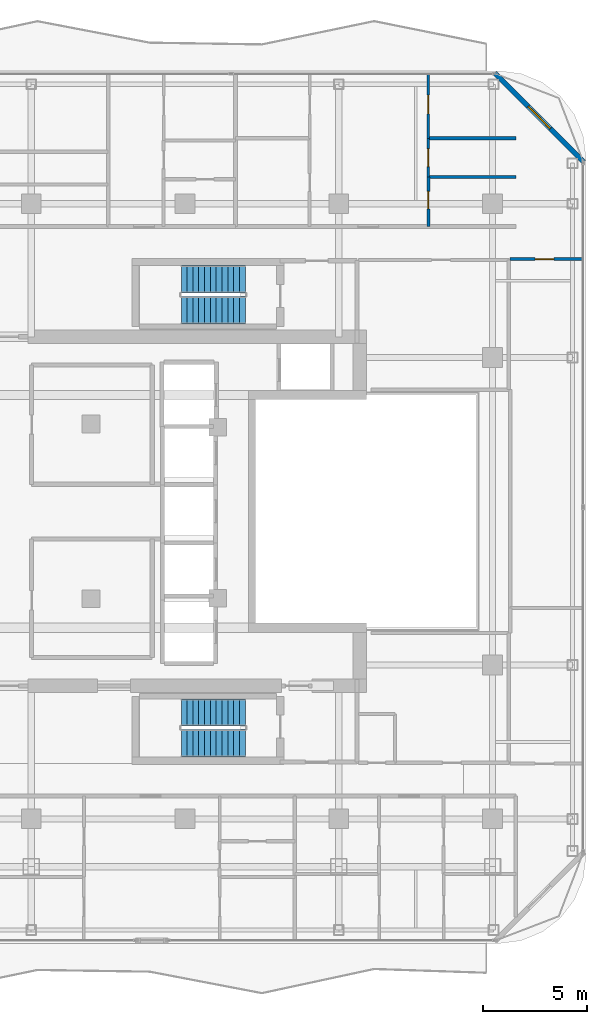
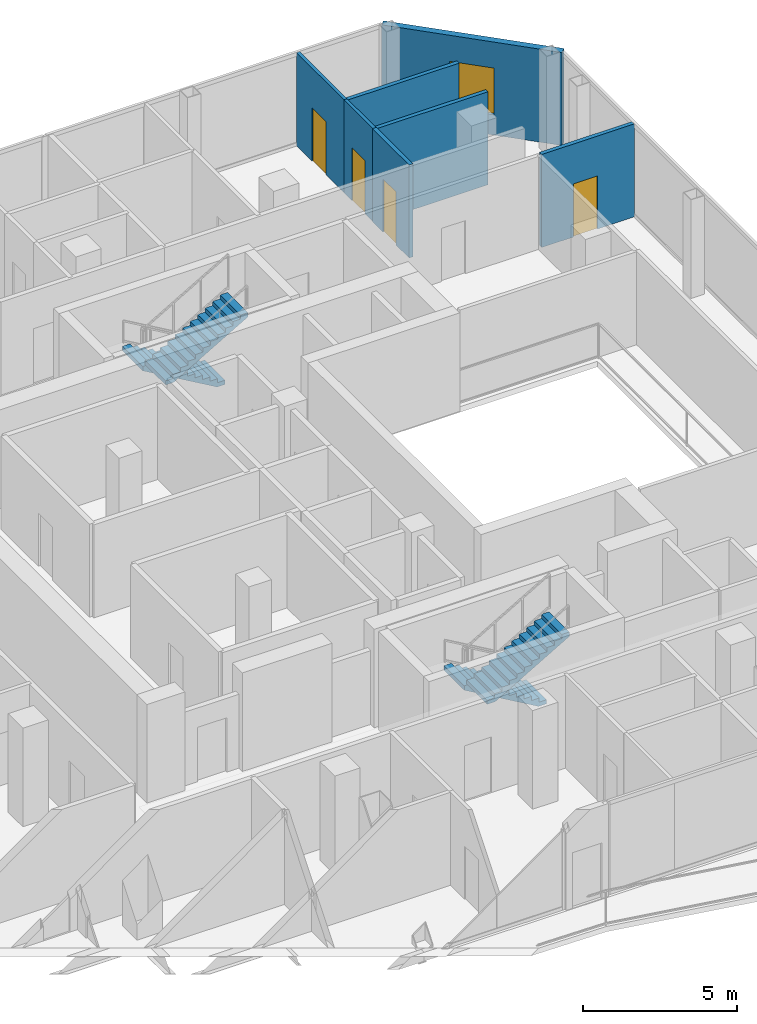
# One storey, part 20 of 23: 7 walls, 4 doors, 4 stair flights, 1 window, 5 openings, 2 elements without a shape of their own.
"""IFC4 building model written with IfcOpenShell, lengths in metres."""

from ifc_helpers import new_model, si_unit, direction, frame, frame_2d, origin, place, context, subcontext, project, spatial, polyline, rectangle, outline, extrude, material, layer, layer_set, type_object, element, fill, aggregate, save


model = new_model("IFC4")

# Units and contexts
model_context = context("Model", 3, precision=1e-05, world=origin(), true_north=direction((0.0, 1.0)))
body_context = subcontext(model_context, "Body", "Model", "MODEL_VIEW")
ifc_project = project(units=[si_unit("LENGTHUNIT", "METRE"), si_unit("AREAUNIT", "SQUARE_METRE"), si_unit("VOLUMEUNIT", "CUBIC_METRE"), si_unit("PLANEANGLEUNIT", "RADIAN"), si_unit("MASSUNIT", "GRAM", prefix="KILO")], contexts=[model_context])

# Site, building, storey
site_placement = place(None, origin())
site = spatial("IfcSite", under=ifc_project, at=site_placement, CompositionType="ELEMENT")
building_placement = place(site_placement, origin())
building = spatial("IfcBuilding", under=site, at=building_placement, Name="Khorvyn Point Tower", CompositionType="ELEMENT")
storey_placement = place(building_placement, frame((0.0, 0.0, 297.60009765625)))
storey = spatial("IfcBuildingStorey", under=building, at=storey_placement, Name="L73", CompositionType="ELEMENT", Elevation=297.60009765625)

# Wall, opening, window
ifc_material_1 = material(Name="Pale anodised aluminium rainscreen on steel stud", Category="steel")
ifc_layer_1 = layer(ifc_material_1, 0.239990234375)
ifc_layer_set_1 = layer_set([ifc_layer_1], Name="Anodised Aluminium Insulated Corner Spandrel Wall 240")
wall_type_1 = type_object("IfcWallType", Name="Anodised Aluminium Insulated Corner Spandrel Wall 240", PredefinedType="SOLIDWALL", material=ifc_layer_set_1)
wall_1_placement = place(storey_placement, frame((14.90771484375, 21.09228515625, 0.0), z_axis=(0.0, 0.0, 1.0), x_axis=(0.707106781187, -0.707106781187, 0.0)))
wall_1 = element("IfcWall", 1, at=wall_1_placement, inside=storey, type_object=wall_type_1, Name="L73 Rounded Corner Wall NE", PredefinedType="SOLIDWALL", context=body_context, shape_type="SweptSolid", body=[
    extrude(rectangle(XDim=6.059326171875, YDim=0.239990234375, at=frame_2d((3.02978515625, 0.0))), origin(), (0.0, 0.0, 1.0), 3.679931640625),
])
opening_1_placement = place(wall_1_placement, frame((2.27978515625, 0.0, 0.800048828125)))
opening_1 = element("IfcOpeningElement", 2, at=opening_1_placement, cuts=wall_1, Name="Opening WN-1518", PredefinedType="OPENING", context=body_context, shape_type="SweptSolid", body=[
    extrude(rectangle(XDim=1.5, YDim=1.85009765625, at=frame_2d((0.75, 0.925048828125))), frame((0.0, 0.1298828125, 0.0), z_axis=(0.0, -1.0, 0.0), x_axis=(1.0, 0.0, 0.0)), (0.0, 0.0, 1.0), 0.260009765625),
])
ifc_material_2 = material(Name="Anodised aluminium 6063-T6 and laminated Low-E glass", Category="aluminium")
window_type = type_object("IfcWindowType", Name="Anodised Aluminium Rounded-Corner Panoramic Window 1500x1850", PartitioningType="SINGLE_PANEL", PredefinedType="WINDOW", material=ifc_material_2)
window_placement = place(opening_1_placement, origin())
window = element("IfcWindow", 3, at=window_placement, inside=storey, type_object=window_type, Name="L73 Corner Panoramic Window NE", OverallHeight=1.85009765625, OverallWidth=1.5, PartitioningType="SINGLE_PANEL", PredefinedType="WINDOW", context=body_context, shape_type="SweptSolid", body=[
    extrude(rectangle(XDim=1.5, YDim=1.85009765625, at=frame_2d((0.75, 0.925048828125))), frame((0.0, 0.030029296875, 0.0), z_axis=(0.0, -1.0, 0.0), x_axis=(1.0, 0.0, 0.0)), (0.0, 0.0, 1.0), 0.06005859375),
])
fill(opening_1, window)

# Wall, opening, door
ifc_material_3 = material(Name="Gypsum plasterboard on steel stud", Category="steel")
ifc_layer_2 = layer(ifc_material_3, 0.1201171875)
ifc_layer_set_2 = layer_set([ifc_layer_2], Name="Gypsum Acoustic Stud Room Partition Wall 120")
wall_type_2 = type_object("IfcWallType", Name="Gypsum Acoustic Stud Room Partition Wall 120", PredefinedType="PARTITIONING", material=ifc_layer_set_2)
wall_2_placement = place(storey_placement, frame((11.7099609375, 16.080078125, 0.0), z_axis=(0.0, 0.0, 1.0), x_axis=(0.0, 1.0, 0.0)))
wall_2 = element("IfcWall", 4, at=wall_2_placement, inside=storey, type_object=wall_type_2, Name="Wall", PredefinedType="PARTITIONING", context=body_context, shape_type="SweptSolid", body=[
    extrude(rectangle(XDim=1.869873046875, YDim=0.1201171875, at=frame_2d((0.93505859375, 0.0))), origin(), (0.0, 0.0, 1.0), 3.679931640625),
])
opening_2_placement = place(wall_2_placement, frame((0.510009765625, 0.0, 0.0)))
opening_2 = element("IfcOpeningElement", 5, at=opening_2_placement, cuts=wall_2, Name="Opening ID-WC85", PredefinedType="OPENING", context=body_context, shape_type="SweptSolid", body=[
    extrude(rectangle(XDim=0.85009765625, YDim=2.10009765625, at=frame_2d((0.425048828125, 1.050048828125))), frame((0.0, 0.070068359375, 0.0), z_axis=(0.0, -1.0, 0.0), x_axis=(1.0, 0.0, 0.0)), (0.0, 0.0, 1.0), 0.14013671875),
])
ifc_material_4 = material(Name="High-pressure laminate on moisture-resistant core", Category="wood")
door_type_1 = type_object("IfcDoorType", Name="Moisture-Resistant Accessible Washroom Door 850x2100", OperationType="NOTDEFINED", PredefinedType="DOOR", material=ifc_material_4)
door_1_placement = place(opening_2_placement, origin())
door_1 = element("IfcDoor", 6, at=door_1_placement, inside=storey, type_object=door_type_1, Name="Door", OperationType="SINGLE_SWING_RIGHT", OverallHeight=2.10009765625, OverallWidth=0.85009765625, PredefinedType="DOOR", context=body_context, shape_type="SweptSolid", body=[
    extrude(rectangle(XDim=0.85009765625, YDim=2.10009765625, at=frame_2d((0.425048828125, 1.050048828125))), frame((0.0, 0.02490234375, 0.0), z_axis=(0.0, -1.0, 0.0), x_axis=(1.0, 0.0, 0.0)), (0.0, 0.0, 1.0), 0.050048828125),
])
fill(opening_2, door_1)

wall_3_placement = place(storey_placement, frame((11.7099609375, 17.949951171875, 0.0), z_axis=(0.0, 0.0, 1.0), x_axis=(0.0, 1.0, 0.0)))
wall_3 = element("IfcWall", 7, at=wall_3_placement, inside=storey, type_object=wall_type_2, Name="Wall", PredefinedType="PARTITIONING", context=body_context, shape_type="SweptSolid", body=[
    extrude(rectangle(XDim=3.080078125, YDim=0.1201171875, at=frame_2d((1.5400390625, 0.0))), origin(), (0.0, 0.0, 1.0), 3.679931640625),
])
opening_3_placement = place(wall_3_placement, frame((1.174560546875, 0.0, 0.0)))
opening_3 = element("IfcOpeningElement", 8, at=opening_3_placement, cuts=wall_3, Name="Opening ID-RM90", PredefinedType="OPENING", context=body_context, shape_type="SweptSolid", body=[
    extrude(rectangle(XDim=0.89990234375, YDim=2.10009765625, at=frame_2d((0.449951171875, 1.050048828125))), frame((0.0, 0.070068359375, 0.0), z_axis=(0.0, -1.0, 0.0), x_axis=(1.0, 0.0, 0.0)), (0.0, 0.0, 1.0), 0.14013671875),
])
ifc_material_5 = material(Name="Engineered oak veneer timber", Category="wood")
door_type_2 = type_object("IfcDoorType", Name="Flush Engineered Timber Room Door 900x2100", OperationType="NOTDEFINED", PredefinedType="DOOR", material=ifc_material_5)
door_2_placement = place(opening_3_placement, origin())
door_2 = element("IfcDoor", 9, at=door_2_placement, inside=storey, type_object=door_type_2, Name="Door", OperationType="SINGLE_SWING_LEFT", OverallHeight=2.10009765625, OverallWidth=0.89990234375, PredefinedType="DOOR", context=body_context, shape_type="SweptSolid", body=[
    extrude(rectangle(XDim=0.89990234375, YDim=2.10009765625, at=frame_2d((0.449951171875, 1.050048828125))), frame((0.0, 0.02490234375, 0.0), z_axis=(0.0, -1.0, 0.0), x_axis=(1.0, 0.0, 0.0)), (0.0, 0.0, 1.0), 0.050048828125),
])
fill(opening_3, door_2)

ifc_material_6 = material(Name="Moisture-resistant gypsum and cement board", Category="gypsum")
ifc_layer_3 = layer(ifc_material_6, 0.14990234375)
ifc_layer_set_3 = layer_set([ifc_layer_3], Name="Moisture-Resistant Wet-Room Partition Wall 150")
wall_type_3 = type_object("IfcWallType", Name="Moisture-Resistant Wet-Room Partition Wall 150", PredefinedType="PARTITIONING", material=ifc_layer_set_3)
wall_4_placement = place(storey_placement, frame((11.7099609375, 13.699951171875, 0.0), z_axis=(0.0, 0.0, 1.0), x_axis=(0.0, 1.0, 0.0)))
wall_4 = element("IfcWall", 10, at=wall_4_placement, inside=storey, type_object=wall_type_3, Name="Wall", PredefinedType="PARTITIONING", context=body_context, shape_type="SweptSolid", body=[
    extrude(rectangle(XDim=2.380126953125, YDim=0.14990234375, at=frame_2d((1.18994140625, 0.0))), origin(), (0.0, 0.0, 1.0), 3.679931640625),
])
opening_4_placement = place(wall_4_placement, frame((0.851318359375, 0.0, 0.0)))
opening_4 = element("IfcOpeningElement", 11, at=opening_4_placement, cuts=wall_4, Name="Opening ID-WC85", PredefinedType="OPENING", context=body_context, shape_type="SweptSolid", body=[
    extrude(rectangle(XDim=0.85009765625, YDim=2.10009765625, at=frame_2d((0.425048828125, 1.050048828125))), frame((0.0, 0.0849609375, 0.0), z_axis=(0.0, -1.0, 0.0), x_axis=(1.0, 0.0, 0.0)), (0.0, 0.0, 1.0), 0.169921875),
])
door_3_placement = place(opening_4_placement, origin())
door_3 = element("IfcDoor", 12, at=door_3_placement, inside=storey, type_object=door_type_1, Name="Door", OperationType="SINGLE_SWING_LEFT", OverallHeight=2.10009765625, OverallWidth=0.85009765625, PredefinedType="DOOR", context=body_context, shape_type="SweptSolid", body=[
    extrude(rectangle(XDim=0.85009765625, YDim=2.10009765625, at=frame_2d((0.425048828125, 1.050048828125))), frame((0.0, 0.02490234375, 0.0), z_axis=(0.0, -1.0, 0.0), x_axis=(1.0, 0.0, 0.0)), (0.0, 0.0, 1.0), 0.050048828125),
])
fill(opening_4, door_3)

wall_5_placement = place(storey_placement, frame((15.64990234375, 12.139892578125, 0.0), z_axis=(0.0, 0.0, 1.0), x_axis=(1.0, 0.0, 0.0)))
wall_5 = element("IfcWall", 13, at=wall_5_placement, inside=storey, type_object=wall_type_3, Name="Wall", PredefinedType="PARTITIONING", context=body_context, shape_type="SweptSolid", body=[
    extrude(rectangle(XDim=3.47021484375, YDim=0.14990234375, at=frame_2d((1.735107421875, 0.0))), origin(), (0.0, 0.0, 1.0), 3.679931640625),
])
opening_5_placement = place(wall_5_placement, frame((1.198486328125, 0.0, 0.0)))
opening_5 = element("IfcOpeningElement", 14, at=opening_5_placement, cuts=wall_5, Name="Opening ID-RM90", PredefinedType="OPENING", context=body_context, shape_type="SweptSolid", body=[
    extrude(rectangle(XDim=0.89990234375, YDim=2.10009765625, at=frame_2d((0.449951171875, 1.050048828125))), frame((0.0, 0.0849609375, 0.0), z_axis=(0.0, -1.0, 0.0), x_axis=(1.0, 0.0, 0.0)), (0.0, 0.0, 1.0), 0.169921875),
])
door_4_placement = place(opening_5_placement, origin())
door_4 = element("IfcDoor", 15, at=door_4_placement, inside=storey, type_object=door_type_2, Name="Door", OperationType="SINGLE_SWING_RIGHT", OverallHeight=2.10009765625, OverallWidth=0.89990234375, PredefinedType="DOOR", context=body_context, shape_type="SweptSolid", body=[
    extrude(rectangle(XDim=0.89990234375, YDim=2.10009765625, at=frame_2d((0.449951171875, 1.050048828125))), frame((0.0, 0.02490234375, 0.0), z_axis=(0.0, -1.0, 0.0), x_axis=(1.0, 0.0, 0.0)), (0.0, 0.0, 1.0), 0.050048828125),
])
fill(opening_5, door_4)

# Walls
for number, where, z_axis, x_axis, name in (
    (16, (11.7099609375, 16.080078125, 0.0), (0.0, 0.0, 1.0), (1.0, 0.0, 0.0), "Wall"),
    (17, (11.7099609375, 17.949951171875, 0.0), (0.0, 0.0, 1.0), (1.0, 0.0, 0.0), "Wall"),
):
    element("IfcWall", number, at=place(storey_placement, frame(where, z_axis=z_axis, x_axis=x_axis)), inside=storey, type_object=wall_type_3, Name=name, PredefinedType="PARTITIONING", context=body_context, shape_type="SweptSolid", body=[
        extrude(rectangle(XDim=4.2099609375, YDim=0.14990234375, at=frame_2d((2.10498046875, 0.0))), origin(), (0.0, 0.0, 1.0), 3.679931640625),
    ])

# Stair, stair flights
ifc_material_7 = material(Name="Concrete C40/50", Category="concrete")
stair_type = type_object("IfcStairType", Name="Tower Concrete C40/50 Dogleg Exit Stair", PredefinedType="HALF_TURN_STAIR", material=ifc_material_7)
stair_1_placement = place(storey_placement, origin())
stair_1 = element("IfcStair", 18, at=stair_1_placement, inside=storey, type_object=stair_type, Name="L73 Tower Smokeproof Exit Stair South", PredefinedType="HALF_TURN_STAIR")
stair_flight_type = type_object("IfcStairFlightType", Name="Tower Concrete C40/50 Stair Flight", PredefinedType="STRAIGHT", material=ifc_material_7)
stair_flight_1_placement = place(storey_placement, frame((2.89990234375, -9.679931640625, 0.0), z_axis=(0.0, 0.0, 1.0), x_axis=(-1.0, 0.0, 0.0)))
stair_flight_1 = element("IfcStairFlight", 19, at=stair_flight_1_placement, type_object=stair_flight_type, Name="ST-01 flight 1", NumberOfRisers=12, NumberOfTreads=11, PredefinedType="STRAIGHT", RiserHeight=0.1625, TreadLength=0.28, context=body_context, shape_type="SweptSolid", body=[
    extrude(outline(polyline([(0.0, 0.0), (0.0, 0.16259765625), (0.280029296875, 0.16259765625), (0.280029296875, 0.324951171875), (0.56005859375, 0.324951171875), (0.56005859375, 0.487548828125), (0.840087890625, 0.487548828125), (0.840087890625, 0.64990234375), (1.1201171875, 0.64990234375), (1.1201171875, 0.8125), (1.39990234375, 0.8125), (1.39990234375, 0.97509765625), (1.679931640625, 0.97509765625), (1.679931640625, 1.137451171875), (1.9599609375, 1.137451171875), (1.9599609375, 1.300048828125), (2.239990234375, 1.300048828125), (2.239990234375, 1.46240234375), (2.52001953125, 1.46240234375), (2.52001953125, 1.625), (2.800048828125, 1.625), (2.800048828125, 1.78759765625), (3.080078125, 1.78759765625), (3.080078125, 1.949951171875), (3.080078125, 1.6142578125), (0.298583984375, 0.0), (0.0, 0.0)])), frame((0.0, 0.66015625, 0.0), z_axis=(0.0, -1.0, 0.0), x_axis=(1.0, 0.0, 0.0)), (0.0, 0.0, 1.0), 1.320068359375),
])
stair_flight_2_placement = place(storey_placement, frame((-0.179931640625, -11.159912109375, 1.949951171875), z_axis=(0.0, 0.0, 1.0), x_axis=(1.0, 0.0, 0.0)))
stair_flight_2 = element("IfcStairFlight", 20, at=stair_flight_2_placement, type_object=stair_flight_type, Name="ST-01 flight 2", NumberOfRisers=12, NumberOfTreads=11, PredefinedType="STRAIGHT", RiserHeight=0.1625, TreadLength=0.28, context=body_context, shape_type="SweptSolid", body=[
    extrude(outline(polyline([(0.0, 0.0), (0.0, 0.16259765625), (0.280029296875, 0.16259765625), (0.280029296875, 0.324951171875), (0.56005859375, 0.324951171875), (0.56005859375, 0.487548828125), (0.840087890625, 0.487548828125), (0.840087890625, 0.64990234375), (1.1201171875, 0.64990234375), (1.1201171875, 0.8125), (1.39990234375, 0.8125), (1.39990234375, 0.97509765625), (1.679931640625, 0.97509765625), (1.679931640625, 1.137451171875), (1.9599609375, 1.137451171875), (1.9599609375, 1.300048828125), (2.239990234375, 1.300048828125), (2.239990234375, 1.46240234375), (2.52001953125, 1.46240234375), (2.52001953125, 1.625), (2.800048828125, 1.625), (2.800048828125, 1.78759765625), (3.080078125, 1.78759765625), (3.080078125, 1.949951171875), (3.080078125, 1.6142578125), (0.298583984375, 0.0), (0.0, 0.0)])), frame((0.0, 0.66015625, 0.0), z_axis=(0.0, -1.0, 0.0), x_axis=(1.0, 0.0, 0.0)), (0.0, 0.0, 1.0), 1.320068359375),
])
aggregate(stair_1, [stair_flight_1, stair_flight_2])

stair_2_placement = place(storey_placement, origin())
stair_2 = element("IfcStair", 21, at=stair_2_placement, inside=storey, type_object=stair_type, Name="L73 Tower Smokeproof Exit Stair North", PredefinedType="HALF_TURN_STAIR")
stair_flight_3_placement = place(storey_placement, frame((2.89990234375, 11.159912109375, 0.0), z_axis=(0.0, 0.0, 1.0), x_axis=(-1.0, 0.0, 0.0)))
stair_flight_3 = element("IfcStairFlight", 22, at=stair_flight_3_placement, type_object=stair_flight_type, Name="ST-02 flight 1", NumberOfRisers=12, NumberOfTreads=11, PredefinedType="STRAIGHT", RiserHeight=0.1625, TreadLength=0.28, context=body_context, shape_type="SweptSolid", body=[
    extrude(outline(polyline([(0.0, 0.0), (0.0, 0.16259765625), (0.280029296875, 0.16259765625), (0.280029296875, 0.324951171875), (0.56005859375, 0.324951171875), (0.56005859375, 0.487548828125), (0.840087890625, 0.487548828125), (0.840087890625, 0.64990234375), (1.1201171875, 0.64990234375), (1.1201171875, 0.8125), (1.39990234375, 0.8125), (1.39990234375, 0.97509765625), (1.679931640625, 0.97509765625), (1.679931640625, 1.137451171875), (1.9599609375, 1.137451171875), (1.9599609375, 1.300048828125), (2.239990234375, 1.300048828125), (2.239990234375, 1.46240234375), (2.52001953125, 1.46240234375), (2.52001953125, 1.625), (2.800048828125, 1.625), (2.800048828125, 1.78759765625), (3.080078125, 1.78759765625), (3.080078125, 1.949951171875), (3.080078125, 1.6142578125), (0.298583984375, 0.0), (0.0, 0.0)])), frame((0.0, 0.66015625, 0.0), z_axis=(0.0, -1.0, 0.0), x_axis=(1.0, 0.0, 0.0)), (0.0, 0.0, 1.0), 1.320068359375),
])
stair_flight_4_placement = place(storey_placement, frame((-0.179931640625, 9.679931640625, 1.949951171875), z_axis=(0.0, 0.0, 1.0), x_axis=(1.0, 0.0, 0.0)))
stair_flight_4 = element("IfcStairFlight", 23, at=stair_flight_4_placement, type_object=stair_flight_type, Name="ST-02 flight 2", NumberOfRisers=12, NumberOfTreads=11, PredefinedType="STRAIGHT", RiserHeight=0.1625, TreadLength=0.28, context=body_context, shape_type="SweptSolid", body=[
    extrude(outline(polyline([(0.0, 0.0), (0.0, 0.16259765625), (0.280029296875, 0.16259765625), (0.280029296875, 0.324951171875), (0.56005859375, 0.324951171875), (0.56005859375, 0.487548828125), (0.840087890625, 0.487548828125), (0.840087890625, 0.64990234375), (1.1201171875, 0.64990234375), (1.1201171875, 0.8125), (1.39990234375, 0.8125), (1.39990234375, 0.97509765625), (1.679931640625, 0.97509765625), (1.679931640625, 1.137451171875), (1.9599609375, 1.137451171875), (1.9599609375, 1.300048828125), (2.239990234375, 1.300048828125), (2.239990234375, 1.46240234375), (2.52001953125, 1.46240234375), (2.52001953125, 1.625), (2.800048828125, 1.625), (2.800048828125, 1.78759765625), (3.080078125, 1.78759765625), (3.080078125, 1.949951171875), (3.080078125, 1.6142578125), (0.298583984375, 0.0), (0.0, 0.0)])), frame((0.0, 0.66015625, 0.0), z_axis=(0.0, -1.0, 0.0), x_axis=(1.0, 0.0, 0.0)), (0.0, 0.0, 1.0), 1.320068359375),
])
aggregate(stair_2, [stair_flight_3, stair_flight_4])

save(model, "model.ifc")
